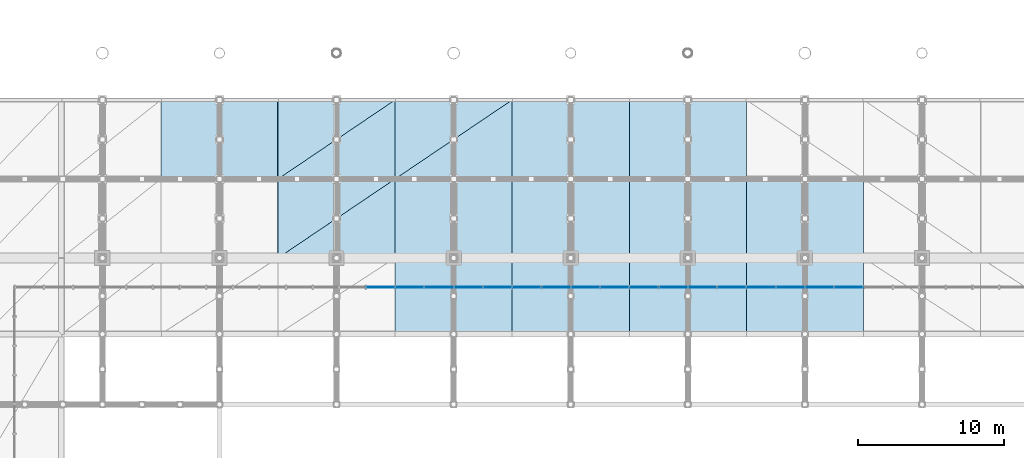
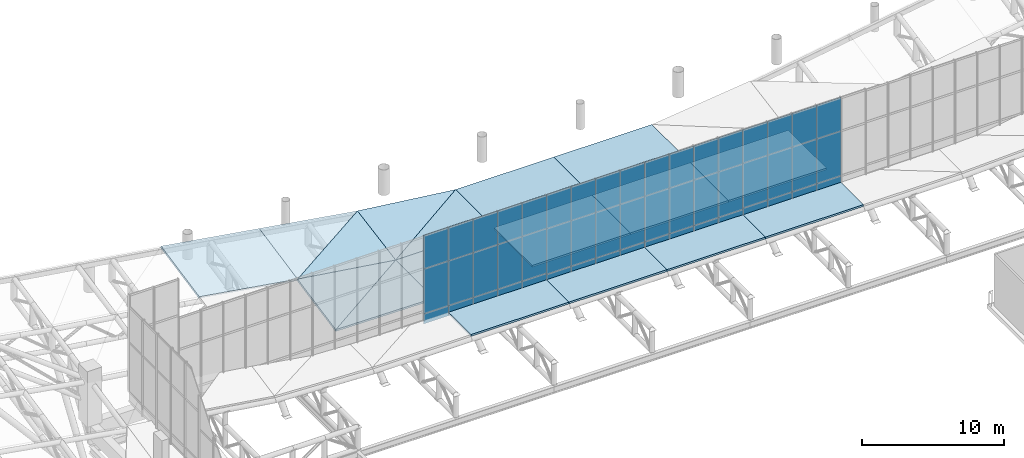
# One storey, part 107 of 137: 51 plates, 17 slabs, 6 elements without a shape of their own.
"""IFC4 building model written with IfcOpenShell, lengths in metres."""

from ifc_helpers import new_model, si_unit, direction, frame, origin, origin_2d, place, context, subcontext, project, spatial, polyline, rectangle, outline, extrude, material, layer, layer_set, type_object, element, aggregate, save


model = new_model("IFC4")

# Units and contexts
model_context = context("Model", 3, precision=1e-05, world=origin(), true_north=direction((0.0, 1.0)))
body_context = subcontext(model_context, "Body", "Model", "MODEL_VIEW")
ifc_project = project(units=[si_unit("LENGTHUNIT", "METRE"), si_unit("AREAUNIT", "SQUARE_METRE"), si_unit("VOLUMEUNIT", "CUBIC_METRE"), si_unit("PLANEANGLEUNIT", "RADIAN"), si_unit("MASSUNIT", "GRAM", prefix="KILO")], contexts=[model_context])

# Site, building, storey
site_placement = place(None, origin())
site = spatial("IfcSite", under=ifc_project, at=site_placement, CompositionType="ELEMENT")
building_placement = place(site_placement, origin())
building = spatial("IfcBuilding", under=site, at=building_placement, Name="Khorjan Park Terminus", CompositionType="ELEMENT")
storey_placement = place(building_placement, frame((0.0, 0.0, 11.4)))
storey = spatial("IfcBuildingStorey", under=building, at=storey_placement, Name="L02", CompositionType="ELEMENT", Elevation=11.4)

# Curtain wall, plates
ifc_material_1 = material(Name="Anodized Bronze Aluminium", Category="aluminium")
ifc_layer_1 = layer(ifc_material_1, 0.22)
ifc_layer_set_1 = layer_set([ifc_layer_1], Name="Anodized Bronze Aluminium")
curtain_wall_type = type_object("IfcCurtainWallType", Name="CW-CONC-CLR", PredefinedType="NOTDEFINED", material=ifc_layer_set_1)
curtain_wall_1_placement = place(storey_placement, origin())
curtain_wall_1 = element("IfcCurtainWall", 1, at=curtain_wall_1_placement, inside=storey, type_object=curtain_wall_type, Name="Unitized curtain wall CW-CL (CW-V2-N-CLR-03)", PredefinedType="NOTDEFINED")
ifc_material_2 = material(Name="Acoustic Laminated Solar Glazing", Category="glass")
ifc_layer_2 = layer(ifc_material_2, 0.036)
ifc_layer_set_2 = layer_set([ifc_layer_2], Name="Acoustic Laminated Solar Glazing")
plate_type_1 = type_object("IfcPlateType", Name="GL-VIS-36", PredefinedType="CURTAIN_PANEL", material=ifc_layer_set_2)
plate_1_placement = place(storey_placement, frame((83.0, 86.0, 1.3349), z_axis=(0.0, 0.0, 1.0), x_axis=(-1.0, 0.0, 0.0)))
plate_1 = element("IfcPlate", 2, at=plate_1_placement, type_object=plate_type_1, Name="Curtain-wall panel VP-36 (CW-V2-N-CLR-03-0-2)", PredefinedType="CURTAIN_PANEL", context=body_context, shape_type="SweptSolid", body=[
    extrude(rectangle(XDim=2.0, YDim=0.036, at=origin_2d()), origin(), (0.0, 0.0, 1.0), 3.8601),
])
plate_2_placement = place(storey_placement, frame((83.0, 86.0, 5.1951), z_axis=(0.0, 0.0, 1.0), x_axis=(-1.0, 0.0, 0.0)))
plate_2 = element("IfcPlate", 3, at=plate_2_placement, type_object=plate_type_1, Name="Curtain-wall panel VP-36 (CW-V2-N-CLR-03-0-3)", PredefinedType="CURTAIN_PANEL", context=body_context, shape_type="SweptSolid", body=[
    extrude(rectangle(XDim=2.0, YDim=0.036, at=origin_2d()), origin(), (0.0, 0.0, 1.0), 2.8968),
])
plate_3_placement = place(storey_placement, frame((81.0, 86.0, 1.3349), z_axis=(0.0, 0.0, 1.0), x_axis=(-1.0, 0.0, 0.0)))
plate_3 = element("IfcPlate", 4, at=plate_3_placement, type_object=plate_type_1, Name="Curtain-wall panel VP-36 (CW-V2-N-CLR-03-1-2)", PredefinedType="CURTAIN_PANEL", context=body_context, shape_type="SweptSolid", body=[
    extrude(rectangle(XDim=2.0, YDim=0.036, at=origin_2d()), origin(), (0.0, 0.0, 1.0), 3.8601),
])
plate_4_placement = place(storey_placement, frame((81.0, 86.0, 5.1951), z_axis=(0.0, 0.0, 1.0), x_axis=(-1.0, 0.0, 0.0)))
plate_4 = element("IfcPlate", 5, at=plate_4_placement, type_object=plate_type_1, Name="Curtain-wall panel VP-36 (CW-V2-N-CLR-03-1-3)", PredefinedType="CURTAIN_PANEL", context=body_context, shape_type="SweptSolid", body=[
    extrude(rectangle(XDim=2.0, YDim=0.036, at=origin_2d()), origin(), (0.0, 0.0, 1.0), 2.8968),
])
plate_5_placement = place(storey_placement, frame((79.0, 86.0, 1.3349), z_axis=(0.0, 0.0, 1.0), x_axis=(-1.0, 0.0, 0.0)))
plate_5 = element("IfcPlate", 6, at=plate_5_placement, type_object=plate_type_1, Name="Curtain-wall panel VP-36 (CW-V2-N-CLR-03-2-2)", PredefinedType="CURTAIN_PANEL", context=body_context, shape_type="SweptSolid", body=[
    extrude(rectangle(XDim=2.0, YDim=0.036, at=origin_2d()), origin(), (0.0, 0.0, 1.0), 3.8601),
])
plate_6_placement = place(storey_placement, frame((79.0, 86.0, 5.1951), z_axis=(0.0, 0.0, 1.0), x_axis=(-1.0, 0.0, 0.0)))
plate_6 = element("IfcPlate", 7, at=plate_6_placement, type_object=plate_type_1, Name="Curtain-wall panel VP-36 (CW-V2-N-CLR-03-2-3)", PredefinedType="CURTAIN_PANEL", context=body_context, shape_type="SweptSolid", body=[
    extrude(rectangle(XDim=2.0, YDim=0.036, at=origin_2d()), origin(), (0.0, 0.0, 1.0), 2.8968),
])
plate_7_placement = place(storey_placement, frame((77.0, 86.0, 1.3349), z_axis=(0.0, 0.0, 1.0), x_axis=(-1.0, 0.0, 0.0)))
plate_7 = element("IfcPlate", 8, at=plate_7_placement, type_object=plate_type_1, Name="Curtain-wall panel VP-36 (CW-V2-N-CLR-03-3-2)", PredefinedType="CURTAIN_PANEL", context=body_context, shape_type="SweptSolid", body=[
    extrude(rectangle(XDim=2.0, YDim=0.036, at=origin_2d()), origin(), (0.0, 0.0, 1.0), 3.8601),
])
plate_8_placement = place(storey_placement, frame((77.0, 86.0, 5.1951), z_axis=(0.0, 0.0, 1.0), x_axis=(-1.0, 0.0, 0.0)))
plate_8 = element("IfcPlate", 9, at=plate_8_placement, type_object=plate_type_1, Name="Curtain-wall panel VP-36 (CW-V2-N-CLR-03-3-3)", PredefinedType="CURTAIN_PANEL", context=body_context, shape_type="SweptSolid", body=[
    extrude(rectangle(XDim=2.0, YDim=0.036, at=origin_2d()), origin(), (0.0, 0.0, 1.0), 2.8968),
])
plate_9_placement = place(storey_placement, frame((75.0, 86.0, 1.3349), z_axis=(0.0, 0.0, 1.0), x_axis=(-1.0, 0.0, 0.0)))
plate_9 = element("IfcPlate", 10, at=plate_9_placement, type_object=plate_type_1, Name="Curtain-wall panel VP-36 (CW-V2-N-CLR-03-4-2)", PredefinedType="CURTAIN_PANEL", context=body_context, shape_type="SweptSolid", body=[
    extrude(rectangle(XDim=2.0, YDim=0.036, at=origin_2d()), origin(), (0.0, 0.0, 1.0), 3.8601),
])
plate_10_placement = place(storey_placement, frame((75.0, 86.0, 5.1951), z_axis=(0.0, 0.0, 1.0), x_axis=(-1.0, 0.0, 0.0)))
plate_10 = element("IfcPlate", 11, at=plate_10_placement, type_object=plate_type_1, Name="Curtain-wall panel VP-36 (CW-V2-N-CLR-03-4-3)", PredefinedType="CURTAIN_PANEL", context=body_context, shape_type="SweptSolid", body=[
    extrude(rectangle(XDim=2.0, YDim=0.036, at=origin_2d()), origin(), (0.0, 0.0, 1.0), 2.8968),
])

curtain_wall_2_placement = place(storey_placement, origin())
curtain_wall_2 = element("IfcCurtainWall", 12, at=curtain_wall_2_placement, inside=storey, type_object=curtain_wall_type, Name="Unitized curtain wall CW-CL (CW-V2-N-CLR-04)", PredefinedType="NOTDEFINED")
plate_11_placement = place(storey_placement, frame((91.0, 86.0, 1.2301), z_axis=(0.0, 0.0, 1.0), x_axis=(-1.0, 0.0, 0.0)))
plate_11 = element("IfcPlate", 13, at=plate_11_placement, type_object=plate_type_1, Name="Curtain-wall panel VP-36 (CW-V2-N-CLR-04-0-2)", PredefinedType="CURTAIN_PANEL", context=body_context, shape_type="SweptSolid", body=[
    extrude(rectangle(XDim=2.0, YDim=0.036, at=origin_2d()), origin(), (0.0, 0.0, 1.0), 3.9291),
])
plate_12_placement = place(storey_placement, frame((91.0, 86.0, 5.159), z_axis=(0.0, 0.0, 1.0), x_axis=(-1.0, 0.0, 0.0)))
plate_12 = element("IfcPlate", 14, at=plate_12_placement, type_object=plate_type_1, Name="Curtain-wall panel VP-36 (CW-V2-N-CLR-04-0-3)", PredefinedType="CURTAIN_PANEL", context=body_context, shape_type="SweptSolid", body=[
    extrude(rectangle(XDim=2.0, YDim=0.036, at=origin_2d()), origin(), (0.0, 0.0, 1.0), 2.9391),
])
plate_13_placement = place(storey_placement, frame((89.0, 86.0, 1.2301), z_axis=(0.0, 0.0, 1.0), x_axis=(-1.0, 0.0, 0.0)))
plate_13 = element("IfcPlate", 15, at=plate_13_placement, type_object=plate_type_1, Name="Curtain-wall panel VP-36 (CW-V2-N-CLR-04-1-2)", PredefinedType="CURTAIN_PANEL", context=body_context, shape_type="SweptSolid", body=[
    extrude(rectangle(XDim=2.0, YDim=0.036, at=origin_2d()), origin(), (0.0, 0.0, 1.0), 3.9291),
])
plate_14_placement = place(storey_placement, frame((89.0, 86.0, 5.159), z_axis=(0.0, 0.0, 1.0), x_axis=(-1.0, 0.0, 0.0)))
plate_14 = element("IfcPlate", 16, at=plate_14_placement, type_object=plate_type_1, Name="Curtain-wall panel VP-36 (CW-V2-N-CLR-04-1-3)", PredefinedType="CURTAIN_PANEL", context=body_context, shape_type="SweptSolid", body=[
    extrude(rectangle(XDim=2.0, YDim=0.036, at=origin_2d()), origin(), (0.0, 0.0, 1.0), 2.9391),
])
plate_15_placement = place(storey_placement, frame((87.0, 86.0, 1.2301), z_axis=(0.0, 0.0, 1.0), x_axis=(-1.0, 0.0, 0.0)))
plate_15 = element("IfcPlate", 17, at=plate_15_placement, type_object=plate_type_1, Name="Curtain-wall panel VP-36 (CW-V2-N-CLR-04-2-2)", PredefinedType="CURTAIN_PANEL", context=body_context, shape_type="SweptSolid", body=[
    extrude(rectangle(XDim=2.0, YDim=0.036, at=origin_2d()), origin(), (0.0, 0.0, 1.0), 3.9291),
])
plate_16_placement = place(storey_placement, frame((87.0, 86.0, 5.159), z_axis=(0.0, 0.0, 1.0), x_axis=(-1.0, 0.0, 0.0)))
plate_16 = element("IfcPlate", 18, at=plate_16_placement, type_object=plate_type_1, Name="Curtain-wall panel VP-36 (CW-V2-N-CLR-04-2-3)", PredefinedType="CURTAIN_PANEL", context=body_context, shape_type="SweptSolid", body=[
    extrude(rectangle(XDim=2.0, YDim=0.036, at=origin_2d()), origin(), (0.0, 0.0, 1.0), 2.9391),
])
plate_17_placement = place(storey_placement, frame((85.0, 86.0, 1.2301), z_axis=(0.0, 0.0, 1.0), x_axis=(-1.0, 0.0, 0.0)))
plate_17 = element("IfcPlate", 19, at=plate_17_placement, type_object=plate_type_1, Name="Curtain-wall panel VP-36 (CW-V2-N-CLR-04-3-2)", PredefinedType="CURTAIN_PANEL", context=body_context, shape_type="SweptSolid", body=[
    extrude(rectangle(XDim=2.0, YDim=0.036, at=origin_2d()), origin(), (0.0, 0.0, 1.0), 3.9291),
])
plate_18_placement = place(storey_placement, frame((85.0, 86.0, 5.159), z_axis=(0.0, 0.0, 1.0), x_axis=(-1.0, 0.0, 0.0)))
plate_18 = element("IfcPlate", 20, at=plate_18_placement, type_object=plate_type_1, Name="Curtain-wall panel VP-36 (CW-V2-N-CLR-04-3-3)", PredefinedType="CURTAIN_PANEL", context=body_context, shape_type="SweptSolid", body=[
    extrude(rectangle(XDim=2.0, YDim=0.036, at=origin_2d()), origin(), (0.0, 0.0, 1.0), 2.9391),
])

curtain_wall_3_placement = place(storey_placement, origin())
curtain_wall_3 = element("IfcCurtainWall", 21, at=curtain_wall_3_placement, inside=storey, type_object=curtain_wall_type, Name="Unitized curtain wall CW-CL (CW-V2-N-CLR-05)", PredefinedType="NOTDEFINED")
plate_19_placement = place(storey_placement, frame((99.0, 86.0, 1.2301), z_axis=(0.0, 0.0, 1.0), x_axis=(-1.0, 0.0, 0.0)))
plate_19 = element("IfcPlate", 22, at=plate_19_placement, type_object=plate_type_1, Name="Curtain-wall panel VP-36 (CW-V2-N-CLR-05-0-2)", PredefinedType="CURTAIN_PANEL", context=body_context, shape_type="SweptSolid", body=[
    extrude(rectangle(XDim=2.0, YDim=0.036, at=origin_2d()), origin(), (0.0, 0.0, 1.0), 3.9291),
])
plate_20_placement = place(storey_placement, frame((99.0, 86.0, 5.159), z_axis=(0.0, 0.0, 1.0), x_axis=(-1.0, 0.0, 0.0)))
plate_20 = element("IfcPlate", 23, at=plate_20_placement, type_object=plate_type_1, Name="Curtain-wall panel VP-36 (CW-V2-N-CLR-05-0-3)", PredefinedType="CURTAIN_PANEL", context=body_context, shape_type="SweptSolid", body=[
    extrude(rectangle(XDim=2.0, YDim=0.036, at=origin_2d()), origin(), (0.0, 0.0, 1.0), 2.9391),
])
plate_21_placement = place(storey_placement, frame((97.0, 86.0, 1.2301), z_axis=(0.0, 0.0, 1.0), x_axis=(-1.0, 0.0, 0.0)))
plate_21 = element("IfcPlate", 24, at=plate_21_placement, type_object=plate_type_1, Name="Curtain-wall panel VP-36 (CW-V2-N-CLR-05-1-2)", PredefinedType="CURTAIN_PANEL", context=body_context, shape_type="SweptSolid", body=[
    extrude(rectangle(XDim=2.0, YDim=0.036, at=origin_2d()), origin(), (0.0, 0.0, 1.0), 3.9291),
])
plate_22_placement = place(storey_placement, frame((97.0, 86.0, 5.159), z_axis=(0.0, 0.0, 1.0), x_axis=(-1.0, 0.0, 0.0)))
plate_22 = element("IfcPlate", 25, at=plate_22_placement, type_object=plate_type_1, Name="Curtain-wall panel VP-36 (CW-V2-N-CLR-05-1-3)", PredefinedType="CURTAIN_PANEL", context=body_context, shape_type="SweptSolid", body=[
    extrude(rectangle(XDim=2.0, YDim=0.036, at=origin_2d()), origin(), (0.0, 0.0, 1.0), 2.9391),
])
plate_23_placement = place(storey_placement, frame((95.0, 86.0, 1.2301), z_axis=(0.0, 0.0, 1.0), x_axis=(-1.0, 0.0, 0.0)))
plate_23 = element("IfcPlate", 26, at=plate_23_placement, type_object=plate_type_1, Name="Curtain-wall panel VP-36 (CW-V2-N-CLR-05-2-2)", PredefinedType="CURTAIN_PANEL", context=body_context, shape_type="SweptSolid", body=[
    extrude(rectangle(XDim=2.0, YDim=0.036, at=origin_2d()), origin(), (0.0, 0.0, 1.0), 3.9291),
])
plate_24_placement = place(storey_placement, frame((95.0, 86.0, 5.159), z_axis=(0.0, 0.0, 1.0), x_axis=(-1.0, 0.0, 0.0)))
plate_24 = element("IfcPlate", 27, at=plate_24_placement, type_object=plate_type_1, Name="Curtain-wall panel VP-36 (CW-V2-N-CLR-05-2-3)", PredefinedType="CURTAIN_PANEL", context=body_context, shape_type="SweptSolid", body=[
    extrude(rectangle(XDim=2.0, YDim=0.036, at=origin_2d()), origin(), (0.0, 0.0, 1.0), 2.9391),
])
plate_25_placement = place(storey_placement, frame((93.0, 86.0, 1.2301), z_axis=(0.0, 0.0, 1.0), x_axis=(-1.0, 0.0, 0.0)))
plate_25 = element("IfcPlate", 28, at=plate_25_placement, type_object=plate_type_1, Name="Curtain-wall panel VP-36 (CW-V2-N-CLR-05-3-2)", PredefinedType="CURTAIN_PANEL", context=body_context, shape_type="SweptSolid", body=[
    extrude(rectangle(XDim=2.0, YDim=0.036, at=origin_2d()), origin(), (0.0, 0.0, 1.0), 3.9291),
])
plate_26_placement = place(storey_placement, frame((93.0, 86.0, 5.159), z_axis=(0.0, 0.0, 1.0), x_axis=(-1.0, 0.0, 0.0)))
plate_26 = element("IfcPlate", 29, at=plate_26_placement, type_object=plate_type_1, Name="Curtain-wall panel VP-36 (CW-V2-N-CLR-05-3-3)", PredefinedType="CURTAIN_PANEL", context=body_context, shape_type="SweptSolid", body=[
    extrude(rectangle(XDim=2.0, YDim=0.036, at=origin_2d()), origin(), (0.0, 0.0, 1.0), 2.9391),
])

curtain_wall_4_placement = place(storey_placement, origin())
curtain_wall_4 = element("IfcCurtainWall", 30, at=curtain_wall_4_placement, inside=storey, type_object=curtain_wall_type, Name="Unitized curtain wall CW-CL (CW-V2-N-CLR-06)", PredefinedType="NOTDEFINED")
plate_27_placement = place(storey_placement, frame((107.0, 86.0, 1.3349), z_axis=(0.0, 0.0, 1.0), x_axis=(-1.0, 0.0, 0.0)))
plate_27 = element("IfcPlate", 31, at=plate_27_placement, type_object=plate_type_1, Name="Curtain-wall panel VP-36 (CW-V2-N-CLR-06-1-2)", PredefinedType="CURTAIN_PANEL", context=body_context, shape_type="SweptSolid", body=[
    extrude(rectangle(XDim=2.0, YDim=0.036, at=origin_2d()), origin(), (0.0, 0.0, 1.0), 3.8601),
])
plate_28_placement = place(storey_placement, frame((107.0, 86.0, 5.1951), z_axis=(0.0, 0.0, 1.0), x_axis=(-1.0, 0.0, 0.0)))
plate_28 = element("IfcPlate", 32, at=plate_28_placement, type_object=plate_type_1, Name="Curtain-wall panel VP-36 (CW-V2-N-CLR-06-1-3)", PredefinedType="CURTAIN_PANEL", context=body_context, shape_type="SweptSolid", body=[
    extrude(rectangle(XDim=2.0, YDim=0.036, at=origin_2d()), origin(), (0.0, 0.0, 1.0), 2.8968),
])
plate_29_placement = place(storey_placement, frame((105.0, 86.0, 1.3349), z_axis=(0.0, 0.0, 1.0), x_axis=(-1.0, 0.0, 0.0)))
plate_29 = element("IfcPlate", 33, at=plate_29_placement, type_object=plate_type_1, Name="Curtain-wall panel VP-36 (CW-V2-N-CLR-06-2-2)", PredefinedType="CURTAIN_PANEL", context=body_context, shape_type="SweptSolid", body=[
    extrude(rectangle(XDim=2.0, YDim=0.036, at=origin_2d()), origin(), (0.0, 0.0, 1.0), 3.8601),
])
plate_30_placement = place(storey_placement, frame((105.0, 86.0, 5.1951), z_axis=(0.0, 0.0, 1.0), x_axis=(-1.0, 0.0, 0.0)))
plate_30 = element("IfcPlate", 34, at=plate_30_placement, type_object=plate_type_1, Name="Curtain-wall panel VP-36 (CW-V2-N-CLR-06-2-3)", PredefinedType="CURTAIN_PANEL", context=body_context, shape_type="SweptSolid", body=[
    extrude(rectangle(XDim=2.0, YDim=0.036, at=origin_2d()), origin(), (0.0, 0.0, 1.0), 2.8968),
])
plate_31_placement = place(storey_placement, frame((103.0, 86.0, 1.3349), z_axis=(0.0, 0.0, 1.0), x_axis=(-1.0, 0.0, 0.0)))
plate_31 = element("IfcPlate", 35, at=plate_31_placement, type_object=plate_type_1, Name="Curtain-wall panel VP-36 (CW-V2-N-CLR-06-3-2)", PredefinedType="CURTAIN_PANEL", context=body_context, shape_type="SweptSolid", body=[
    extrude(rectangle(XDim=2.0, YDim=0.036, at=origin_2d()), origin(), (0.0, 0.0, 1.0), 3.8601),
])
plate_32_placement = place(storey_placement, frame((103.0, 86.0, 5.1951), z_axis=(0.0, 0.0, 1.0), x_axis=(-1.0, 0.0, 0.0)))
plate_32 = element("IfcPlate", 36, at=plate_32_placement, type_object=plate_type_1, Name="Curtain-wall panel VP-36 (CW-V2-N-CLR-06-3-3)", PredefinedType="CURTAIN_PANEL", context=body_context, shape_type="SweptSolid", body=[
    extrude(rectangle(XDim=2.0, YDim=0.036, at=origin_2d()), origin(), (0.0, 0.0, 1.0), 2.8968),
])
plate_33_placement = place(storey_placement, frame((101.0, 86.0, 1.3349), z_axis=(0.0, 0.0, 1.0), x_axis=(-1.0, 0.0, 0.0)))
plate_33 = element("IfcPlate", 37, at=plate_33_placement, type_object=plate_type_1, Name="Curtain-wall panel VP-36 (CW-V2-N-CLR-06-4-2)", PredefinedType="CURTAIN_PANEL", context=body_context, shape_type="SweptSolid", body=[
    extrude(rectangle(XDim=2.0, YDim=0.036, at=origin_2d()), origin(), (0.0, 0.0, 1.0), 3.8601),
])
plate_34_placement = place(storey_placement, frame((101.0, 86.0, 5.1951), z_axis=(0.0, 0.0, 1.0), x_axis=(-1.0, 0.0, 0.0)))
plate_34 = element("IfcPlate", 38, at=plate_34_placement, type_object=plate_type_1, Name="Curtain-wall panel VP-36 (CW-V2-N-CLR-06-4-3)", PredefinedType="CURTAIN_PANEL", context=body_context, shape_type="SweptSolid", body=[
    extrude(rectangle(XDim=2.0, YDim=0.036, at=origin_2d()), origin(), (0.0, 0.0, 1.0), 2.8968),
])

# Roof, slabs
ifc_material_3 = material(Name="Concrete C50/60", Category="concrete")
ifc_layer_3 = layer(ifc_material_3, 0.16)
ifc_layer_set_3 = layer_set([ifc_layer_3], Name="Concrete C50/60")
roof_type = type_object("IfcRoofType", Name="RF-SHELL-LOWER", PredefinedType="FREEFORM", material=ifc_layer_set_3)
roof_1_placement = place(storey_placement, origin())
roof_1 = element("IfcRoof", 39, at=roof_1_placement, inside=storey, type_object=roof_type, Name="Lower 4-sided wrapping folded concrete shell roof RF-CS2 (2)", PredefinedType="FREEFORM")
ifc_layer_4 = layer(ifc_material_3, 0.16)
ifc_layer_set_4 = layer_set([ifc_layer_4], Name="Concrete C50/60")
slab_type = type_object("IfcSlabType", Name="SL-SHL-160", PredefinedType="ROOF", material=ifc_layer_set_4)
slab_1_placement = place(storey_placement, frame((60.0, 93.4, 3.2229), z_axis=(0.155240628983, -0.194255938796, 0.96858916851), x_axis=(0.987398235344, 0.0, -0.15825525217)))
slab_1 = element("IfcSlab", 40, at=slab_1_placement, type_object=slab_type, Name="Lower 4-sided wrapping folded concrete shell facet RS-16 (76)", PredefinedType="ROOF", context=body_context, shape_type="SweptSolid", body=[
    extrude(outline(polyline([(0.0, 0.0), (8.102100767085041, 0.0), (7.930710328985171, 5.504862788274368), (-0.17139043809987023, 5.504862788274369), (0.0, 0.0)])), origin(), (0.0, 0.0, -1.0), 0.16),
])
slab_2_placement = place(storey_placement, frame((68.0, 88.0, 0.8577), z_axis=(0.009712041929, 0.0, 0.999952837009), x_axis=(0.999952837009, 0.0, -0.009712041929)))
slab_2 = element("IfcSlab", 41, at=slab_2_placement, type_object=slab_type, Name="Lower 4-sided wrapping folded concrete shell facet RS-16 (85)", PredefinedType="ROOF", context=body_context, shape_type="SweptSolid", body=[
    extrude(outline(polyline([(0.0, 0.0), (8.00037732172677, 0.0), (8.00037732172677, 5.400000000000006), (0.0, 0.0)])), origin(), (0.0, 0.0, -1.0), 0.16),
])
slab_3_placement = place(storey_placement, frame((68.0, 88.0, 0.8577), z_axis=(0.140836900099, -0.19467991896, 0.97070319703), x_axis=(0.828821818362, 0.559454727394, -0.008049931911)))
slab_3 = element("IfcSlab", 42, at=slab_3_placement, type_object=slab_type, Name="Lower 4-sided wrapping folded concrete shell facet RS-16 (86)", PredefinedType="ROOF", context=body_context, shape_type="SweptSolid", body=[
    extrude(outline(polyline([(0.0, 0.0), (9.652255554532323, 2.8102520310824275e-16), (3.0123374516692296, 4.610717089268328), (0.0, 0.0)])), origin(), (0.0, 0.0, -1.0), 0.16),
])
slab_4_placement = place(storey_placement, frame((68.0, 93.4, 1.9407), z_axis=(0.141405126056, -0.173554488786, 0.974619633368), x_axis=(0.989638115901, 0.0, -0.143584120141)))
slab_4 = element("IfcSlab", 43, at=slab_4_placement, type_object=slab_type, Name="Lower 4-sided wrapping folded concrete shell facet RS-16 (87)", PredefinedType="ROOF", context=body_context, shape_type="SweptSolid", body=[
    extrude(outline(polyline([(0.0, 0.0), (8.083763015452643, 2.7755575615628914e-17), (7.94569252552531, 5.483211750407889), (0.0, 0.0)])), origin(), (0.0, 0.0, -1.0), 0.16),
])
slab_5_placement = place(storey_placement, frame((68.0, 93.4, 1.9407), z_axis=(0.155228813368, -0.194256303897, 0.968590988961), x_axis=(0.828672387306, 0.559353861431, -0.020623584039)))
slab_5 = element("IfcSlab", 44, at=slab_5_placement, type_object=slab_type, Name="Lower 4-sided wrapping folded concrete shell facet RS-16 (88)", PredefinedType="ROOF", context=body_context, shape_type="SweptSolid", body=[
    extrude(outline(polyline([(0.0, 0.0), (9.653996105758482, 1.0408340855860843e-16), (2.998175510215399, 4.619938593741755), (0.0, 0.0)])), origin(), (0.0, 0.0, -1.0), 0.16),
])
slab_6_placement = place(storey_placement, frame((76.0, 82.8, 0.78), z_axis=(0.0, 0.0, 1.0), x_axis=(1.0, 0.0, 0.0)))
slab_6 = element("IfcSlab", 45, at=slab_6_placement, type_object=slab_type, Name="Lower 4-sided wrapping folded concrete shell facet RS-16 (93)", PredefinedType="ROOF", context=body_context, shape_type="SweptSolid", body=[
    extrude(outline(polyline([(0.0, 0.0), (8.0, 0.0), (8.0, 5.200000000000003), (0.0, 5.200000000000003), (0.0, 0.0)])), origin(), (0.0, 0.0, -1.0), 0.16),
])
slab_7_placement = place(storey_placement, frame((76.0, 88.0, 0.78), z_axis=(0.0, 0.0, 1.0), x_axis=(1.0, 0.0, 0.0)))
slab_7 = element("IfcSlab", 46, at=slab_7_placement, type_object=slab_type, Name="Lower 4-sided wrapping folded concrete shell facet RS-16 (94)", PredefinedType="ROOF", context=body_context, shape_type="SweptSolid", body=[
    extrude(outline(polyline([(0.0, 0.0), (8.0, 0.0), (8.0, 5.400000000000006), (0.0, 5.400000000000006), (0.0, 0.0)])), origin(), (0.0, 0.0, -1.0), 0.16),
])
slab_8_placement = place(storey_placement, frame((76.0, 93.4, 0.78), z_axis=(0.0, 0.0, 1.0), x_axis=(1.0, 0.0, 0.0)))
slab_8 = element("IfcSlab", 47, at=slab_8_placement, type_object=slab_type, Name="Lower 4-sided wrapping folded concrete shell facet RS-16 (95)", PredefinedType="ROOF", context=body_context, shape_type="SweptSolid", body=[
    extrude(outline(polyline([(0.0, 0.0), (8.0, 0.0), (8.0, 5.3999999999999915), (0.0, 0.0)])), origin(), (0.0, 0.0, -1.0), 0.16),
])
slab_9_placement = place(storey_placement, frame((76.0, 93.4, 0.78), z_axis=(0.117518365138, -0.174101281686, 0.977690225772), x_axis=(0.828848674076, 0.559472855001, 0.0)))
slab_9 = element("IfcSlab", 48, at=slab_9_placement, type_object=slab_type, Name="Lower 4-sided wrapping folded concrete shell facet RS-16 (96)", PredefinedType="ROOF", context=body_context, shape_type="SweptSolid", body=[
    extrude(outline(polyline([(0.0, 0.0), (9.651942809610919, 0.0), (3.021153417005729, 4.57791509214779), (0.0, 0.0)])), origin(), (0.0, 0.0, -1.0), 0.16),
])
slab_10_placement = place(storey_placement, frame((84.0, 82.8, 0.78), z_axis=(0.0, 0.0, 1.0), x_axis=(1.0, 0.0, 0.0)))
slab_10 = element("IfcSlab", 49, at=slab_10_placement, type_object=slab_type, Name="Lower 4-sided wrapping folded concrete shell facet RS-16 (100)", PredefinedType="ROOF", context=body_context, shape_type="SweptSolid", body=[
    extrude(outline(polyline([(0.0, 0.0), (8.0, 0.0), (8.0, 5.200000000000003), (0.0, 5.200000000000003), (0.0, 0.0)])), origin(), (0.0, 0.0, -1.0), 0.16),
])
slab_11_placement = place(storey_placement, frame((84.0, 88.0, 0.78), z_axis=(0.0, 0.0, 1.0), x_axis=(1.0, 0.0, 0.0)))
slab_11 = element("IfcSlab", 50, at=slab_11_placement, type_object=slab_type, Name="Lower 4-sided wrapping folded concrete shell facet RS-16 (101)", PredefinedType="ROOF", context=body_context, shape_type="SweptSolid", body=[
    extrude(outline(polyline([(0.0, 0.0), (8.0, 0.0), (8.0, 5.400000000000006), (0.0, 5.400000000000006), (0.0, 0.0)])), origin(), (0.0, 0.0, -1.0), 0.16),
])
slab_12_placement = place(storey_placement, frame((84.0, 93.4, 0.78), z_axis=(0.0, 0.0, 1.0), x_axis=(1.0, 0.0, 0.0)))
slab_12 = element("IfcSlab", 51, at=slab_12_placement, type_object=slab_type, Name="Lower 4-sided wrapping folded concrete shell facet RS-16 (102)", PredefinedType="ROOF", context=body_context, shape_type="SweptSolid", body=[
    extrude(outline(polyline([(0.0, 0.0), (8.0, 0.0), (8.0, 5.3999999999999915), (0.0, 5.3999999999999915), (0.0, 0.0)])), origin(), (0.0, 0.0, -1.0), 0.16),
])
aggregate(roof_1, [slab_1, slab_2, slab_3, slab_4, slab_5, slab_6, slab_7, slab_8, slab_9, slab_10, slab_11, slab_12])

roof_2_placement = place(storey_placement, origin())
roof_2 = element("IfcRoof", 52, at=roof_2_placement, inside=storey, type_object=roof_type, Name="Lower 4-sided wrapping folded concrete shell roof RF-CS2 (3)", PredefinedType="FREEFORM")
slab_13_placement = place(storey_placement, frame((92.0, 82.8, 0.78), z_axis=(0.0, 0.0, 1.0), x_axis=(1.0, 0.0, 0.0)))
slab_13 = element("IfcSlab", 53, at=slab_13_placement, type_object=slab_type, Name="Lower 4-sided wrapping folded concrete shell facet RS-16 (106)", PredefinedType="ROOF", context=body_context, shape_type="SweptSolid", body=[
    extrude(outline(polyline([(0.0, 0.0), (8.0, 0.0), (8.0, 5.200000000000003), (0.0, 5.200000000000003), (0.0, 0.0)])), origin(), (0.0, 0.0, -1.0), 0.16),
])
slab_14_placement = place(storey_placement, frame((92.0, 88.0, 0.78), z_axis=(0.0, 0.0, 1.0), x_axis=(1.0, 0.0, 0.0)))
slab_14 = element("IfcSlab", 54, at=slab_14_placement, type_object=slab_type, Name="Lower 4-sided wrapping folded concrete shell facet RS-16 (107)", PredefinedType="ROOF", context=body_context, shape_type="SweptSolid", body=[
    extrude(outline(polyline([(0.0, 0.0), (8.0, 0.0), (8.0, 5.400000000000006), (0.0, 5.400000000000006), (0.0, 0.0)])), origin(), (0.0, 0.0, -1.0), 0.16),
])
slab_15_placement = place(storey_placement, frame((92.0, 93.4, 0.78), z_axis=(0.0, 0.0, 1.0), x_axis=(1.0, 0.0, 0.0)))
slab_15 = element("IfcSlab", 55, at=slab_15_placement, type_object=slab_type, Name="Lower 4-sided wrapping folded concrete shell facet RS-16 (108)", PredefinedType="ROOF", context=body_context, shape_type="SweptSolid", body=[
    extrude(outline(polyline([(0.0, 0.0), (8.0, 0.0), (8.0, 5.3999999999999915), (0.0, 5.3999999999999915), (0.0, 0.0)])), origin(), (0.0, 0.0, -1.0), 0.16),
])
slab_16_placement = place(storey_placement, frame((100.0, 82.8, 0.78), z_axis=(0.0, 0.0, 1.0), x_axis=(1.0, 0.0, 0.0)))
slab_16 = element("IfcSlab", 56, at=slab_16_placement, type_object=slab_type, Name="Lower 4-sided wrapping folded concrete shell facet RS-16 (113)", PredefinedType="ROOF", context=body_context, shape_type="SweptSolid", body=[
    extrude(outline(polyline([(0.0, 0.0), (8.0, 0.0), (8.0, 5.200000000000003), (0.0, 5.200000000000003), (0.0, 0.0)])), origin(), (0.0, 0.0, -1.0), 0.16),
])
slab_17_placement = place(storey_placement, frame((100.0, 88.0, 0.78), z_axis=(0.0, 0.0, 1.0), x_axis=(1.0, 0.0, 0.0)))
slab_17 = element("IfcSlab", 57, at=slab_17_placement, type_object=slab_type, Name="Lower 4-sided wrapping folded concrete shell facet RS-16 (114)", PredefinedType="ROOF", context=body_context, shape_type="SweptSolid", body=[
    extrude(outline(polyline([(0.0, 0.0), (8.0, 0.0), (8.0, 5.400000000000006), (0.0, 5.400000000000006), (0.0, 0.0)])), origin(), (0.0, 0.0, -1.0), 0.16),
])
aggregate(roof_2, [slab_13, slab_14, slab_15, slab_16, slab_17])

# Plate
ifc_material_4 = material(Name="Insulated Anodized Bronze Spandrel Panel")
ifc_layer_5 = layer(ifc_material_4, 0.045)
ifc_layer_set_5 = layer_set([ifc_layer_5], Name="Insulated Anodized Bronze Spandrel Panel")
plate_type_2 = type_object("IfcPlateType", Name="SP-AL-45", PredefinedType="CURTAIN_PANEL", material=ifc_layer_set_5)
plate_35_placement = place(storey_placement, frame((83.0, 86.0, 0.475), z_axis=(0.0, 0.0, 1.0), x_axis=(-1.0, 0.0, 0.0)))
plate_35 = element("IfcPlate", 58, at=plate_35_placement, type_object=plate_type_2, Name="Curtain-wall panel SP-A45 (CW-V2-N-CLR-03-0-1)", PredefinedType="CURTAIN_PANEL", context=body_context, shape_type="SweptSolid", body=[
    extrude(rectangle(XDim=2.0, YDim=0.045, at=origin_2d()), origin(), (0.0, 0.0, 1.0), 0.86),
])

plate_36_placement = place(storey_placement, frame((81.0, 86.0, 0.475), z_axis=(0.0, 0.0, 1.0), x_axis=(-1.0, 0.0, 0.0)))
plate_36 = element("IfcPlate", 59, at=plate_36_placement, type_object=plate_type_2, Name="Curtain-wall panel SP-A45 (CW-V2-N-CLR-03-1-1)", PredefinedType="CURTAIN_PANEL", context=body_context, shape_type="SweptSolid", body=[
    extrude(rectangle(XDim=2.0, YDim=0.045, at=origin_2d()), origin(), (0.0, 0.0, 1.0), 0.86),
])

plate_37_placement = place(storey_placement, frame((79.0, 86.0, 0.475), z_axis=(0.0, 0.0, 1.0), x_axis=(-1.0, 0.0, 0.0)))
plate_37 = element("IfcPlate", 60, at=plate_37_placement, type_object=plate_type_2, Name="Curtain-wall panel SP-A45 (CW-V2-N-CLR-03-2-1)", PredefinedType="CURTAIN_PANEL", context=body_context, shape_type="SweptSolid", body=[
    extrude(rectangle(XDim=2.0, YDim=0.045, at=origin_2d()), origin(), (0.0, 0.0, 1.0), 0.86),
])

plate_38_placement = place(storey_placement, frame((77.0, 86.0, 0.475), z_axis=(0.0, 0.0, 1.0), x_axis=(-1.0, 0.0, 0.0)))
plate_38 = element("IfcPlate", 61, at=plate_38_placement, type_object=plate_type_2, Name="Curtain-wall panel SP-A45 (CW-V2-N-CLR-03-3-1)", PredefinedType="CURTAIN_PANEL", context=body_context, shape_type="SweptSolid", body=[
    extrude(rectangle(XDim=2.0, YDim=0.045, at=origin_2d()), origin(), (0.0, 0.0, 1.0), 0.86),
])

plate_39_placement = place(storey_placement, frame((75.0, 86.0, 0.475), z_axis=(0.0, 0.0, 1.0), x_axis=(-1.0, 0.0, 0.0)))
plate_39 = element("IfcPlate", 62, at=plate_39_placement, type_object=plate_type_2, Name="Curtain-wall panel SP-A45 (CW-V2-N-CLR-03-4-1)", PredefinedType="CURTAIN_PANEL", context=body_context, shape_type="SweptSolid", body=[
    extrude(rectangle(XDim=2.0, YDim=0.045, at=origin_2d()), origin(), (0.0, 0.0, 1.0), 0.86),
])

aggregate(curtain_wall_1, [plate_35, plate_1, plate_2, plate_36, plate_3, plate_4, plate_37, plate_5, plate_6, plate_38, plate_7, plate_8, plate_39, plate_9, plate_10])

plate_40_placement = place(storey_placement, frame((91.0, 86.0, 0.37), z_axis=(0.0, 0.0, 1.0), x_axis=(-1.0, 0.0, 0.0)))
plate_40 = element("IfcPlate", 63, at=plate_40_placement, type_object=plate_type_2, Name="Curtain-wall panel SP-A45 (CW-V2-N-CLR-04-0-1)", PredefinedType="CURTAIN_PANEL", context=body_context, shape_type="SweptSolid", body=[
    extrude(rectangle(XDim=2.0, YDim=0.045, at=origin_2d()), origin(), (0.0, 0.0, 1.0), 0.86),
])

plate_41_placement = place(storey_placement, frame((89.0, 86.0, 0.37), z_axis=(0.0, 0.0, 1.0), x_axis=(-1.0, 0.0, 0.0)))
plate_41 = element("IfcPlate", 64, at=plate_41_placement, type_object=plate_type_2, Name="Curtain-wall panel SP-A45 (CW-V2-N-CLR-04-1-1)", PredefinedType="CURTAIN_PANEL", context=body_context, shape_type="SweptSolid", body=[
    extrude(rectangle(XDim=2.0, YDim=0.045, at=origin_2d()), origin(), (0.0, 0.0, 1.0), 0.86),
])

plate_42_placement = place(storey_placement, frame((87.0, 86.0, 0.37), z_axis=(0.0, 0.0, 1.0), x_axis=(-1.0, 0.0, 0.0)))
plate_42 = element("IfcPlate", 65, at=plate_42_placement, type_object=plate_type_2, Name="Curtain-wall panel SP-A45 (CW-V2-N-CLR-04-2-1)", PredefinedType="CURTAIN_PANEL", context=body_context, shape_type="SweptSolid", body=[
    extrude(rectangle(XDim=2.0, YDim=0.045, at=origin_2d()), origin(), (0.0, 0.0, 1.0), 0.86),
])

plate_43_placement = place(storey_placement, frame((85.0, 86.0, 0.37), z_axis=(0.0, 0.0, 1.0), x_axis=(-1.0, 0.0, 0.0)))
plate_43 = element("IfcPlate", 66, at=plate_43_placement, type_object=plate_type_2, Name="Curtain-wall panel SP-A45 (CW-V2-N-CLR-04-3-1)", PredefinedType="CURTAIN_PANEL", context=body_context, shape_type="SweptSolid", body=[
    extrude(rectangle(XDim=2.0, YDim=0.045, at=origin_2d()), origin(), (0.0, 0.0, 1.0), 0.86),
])

aggregate(curtain_wall_2, [plate_40, plate_11, plate_12, plate_41, plate_13, plate_14, plate_42, plate_15, plate_16, plate_43, plate_17, plate_18])

plate_44_placement = place(storey_placement, frame((99.0, 86.0, 0.37), z_axis=(0.0, 0.0, 1.0), x_axis=(-1.0, 0.0, 0.0)))
plate_44 = element("IfcPlate", 67, at=plate_44_placement, type_object=plate_type_2, Name="Curtain-wall panel SP-A45 (CW-V2-N-CLR-05-0-1)", PredefinedType="CURTAIN_PANEL", context=body_context, shape_type="SweptSolid", body=[
    extrude(rectangle(XDim=2.0, YDim=0.045, at=origin_2d()), origin(), (0.0, 0.0, 1.0), 0.86),
])

plate_45_placement = place(storey_placement, frame((97.0, 86.0, 0.37), z_axis=(0.0, 0.0, 1.0), x_axis=(-1.0, 0.0, 0.0)))
plate_45 = element("IfcPlate", 68, at=plate_45_placement, type_object=plate_type_2, Name="Curtain-wall panel SP-A45 (CW-V2-N-CLR-05-1-1)", PredefinedType="CURTAIN_PANEL", context=body_context, shape_type="SweptSolid", body=[
    extrude(rectangle(XDim=2.0, YDim=0.045, at=origin_2d()), origin(), (0.0, 0.0, 1.0), 0.86),
])

plate_46_placement = place(storey_placement, frame((95.0, 86.0, 0.37), z_axis=(0.0, 0.0, 1.0), x_axis=(-1.0, 0.0, 0.0)))
plate_46 = element("IfcPlate", 69, at=plate_46_placement, type_object=plate_type_2, Name="Curtain-wall panel SP-A45 (CW-V2-N-CLR-05-2-1)", PredefinedType="CURTAIN_PANEL", context=body_context, shape_type="SweptSolid", body=[
    extrude(rectangle(XDim=2.0, YDim=0.045, at=origin_2d()), origin(), (0.0, 0.0, 1.0), 0.86),
])

plate_47_placement = place(storey_placement, frame((93.0, 86.0, 0.37), z_axis=(0.0, 0.0, 1.0), x_axis=(-1.0, 0.0, 0.0)))
plate_47 = element("IfcPlate", 70, at=plate_47_placement, type_object=plate_type_2, Name="Curtain-wall panel SP-A45 (CW-V2-N-CLR-05-3-1)", PredefinedType="CURTAIN_PANEL", context=body_context, shape_type="SweptSolid", body=[
    extrude(rectangle(XDim=2.0, YDim=0.045, at=origin_2d()), origin(), (0.0, 0.0, 1.0), 0.86),
])

aggregate(curtain_wall_3, [plate_44, plate_19, plate_20, plate_45, plate_21, plate_22, plate_46, plate_23, plate_24, plate_47, plate_25, plate_26])

plate_48_placement = place(storey_placement, frame((107.0, 86.0, 0.475), z_axis=(0.0, 0.0, 1.0), x_axis=(-1.0, 0.0, 0.0)))
plate_48 = element("IfcPlate", 71, at=plate_48_placement, type_object=plate_type_2, Name="Curtain-wall panel SP-A45 (CW-V2-N-CLR-06-1-1)", PredefinedType="CURTAIN_PANEL", context=body_context, shape_type="SweptSolid", body=[
    extrude(rectangle(XDim=2.0, YDim=0.045, at=origin_2d()), origin(), (0.0, 0.0, 1.0), 0.86),
])

plate_49_placement = place(storey_placement, frame((105.0, 86.0, 0.475), z_axis=(0.0, 0.0, 1.0), x_axis=(-1.0, 0.0, 0.0)))
plate_49 = element("IfcPlate", 72, at=plate_49_placement, type_object=plate_type_2, Name="Curtain-wall panel SP-A45 (CW-V2-N-CLR-06-2-1)", PredefinedType="CURTAIN_PANEL", context=body_context, shape_type="SweptSolid", body=[
    extrude(rectangle(XDim=2.0, YDim=0.045, at=origin_2d()), origin(), (0.0, 0.0, 1.0), 0.86),
])

plate_50_placement = place(storey_placement, frame((103.0, 86.0, 0.475), z_axis=(0.0, 0.0, 1.0), x_axis=(-1.0, 0.0, 0.0)))
plate_50 = element("IfcPlate", 73, at=plate_50_placement, type_object=plate_type_2, Name="Curtain-wall panel SP-A45 (CW-V2-N-CLR-06-3-1)", PredefinedType="CURTAIN_PANEL", context=body_context, shape_type="SweptSolid", body=[
    extrude(rectangle(XDim=2.0, YDim=0.045, at=origin_2d()), origin(), (0.0, 0.0, 1.0), 0.86),
])

plate_51_placement = place(storey_placement, frame((101.0, 86.0, 0.475), z_axis=(0.0, 0.0, 1.0), x_axis=(-1.0, 0.0, 0.0)))
plate_51 = element("IfcPlate", 74, at=plate_51_placement, type_object=plate_type_2, Name="Curtain-wall panel SP-A45 (CW-V2-N-CLR-06-4-1)", PredefinedType="CURTAIN_PANEL", context=body_context, shape_type="SweptSolid", body=[
    extrude(rectangle(XDim=2.0, YDim=0.045, at=origin_2d()), origin(), (0.0, 0.0, 1.0), 0.86),
])

aggregate(curtain_wall_4, [plate_48, plate_27, plate_28, plate_49, plate_29, plate_30, plate_50, plate_31, plate_32, plate_51, plate_33, plate_34])

save(model, "model.ifc")
